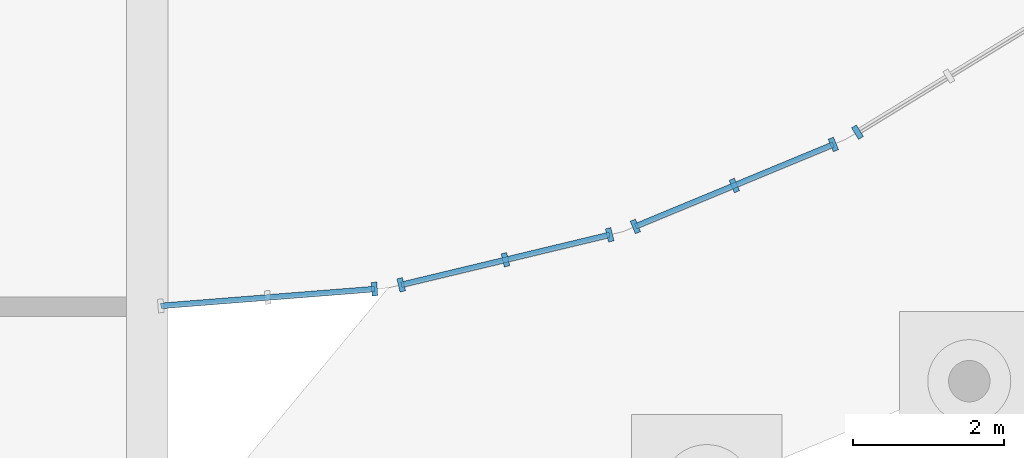
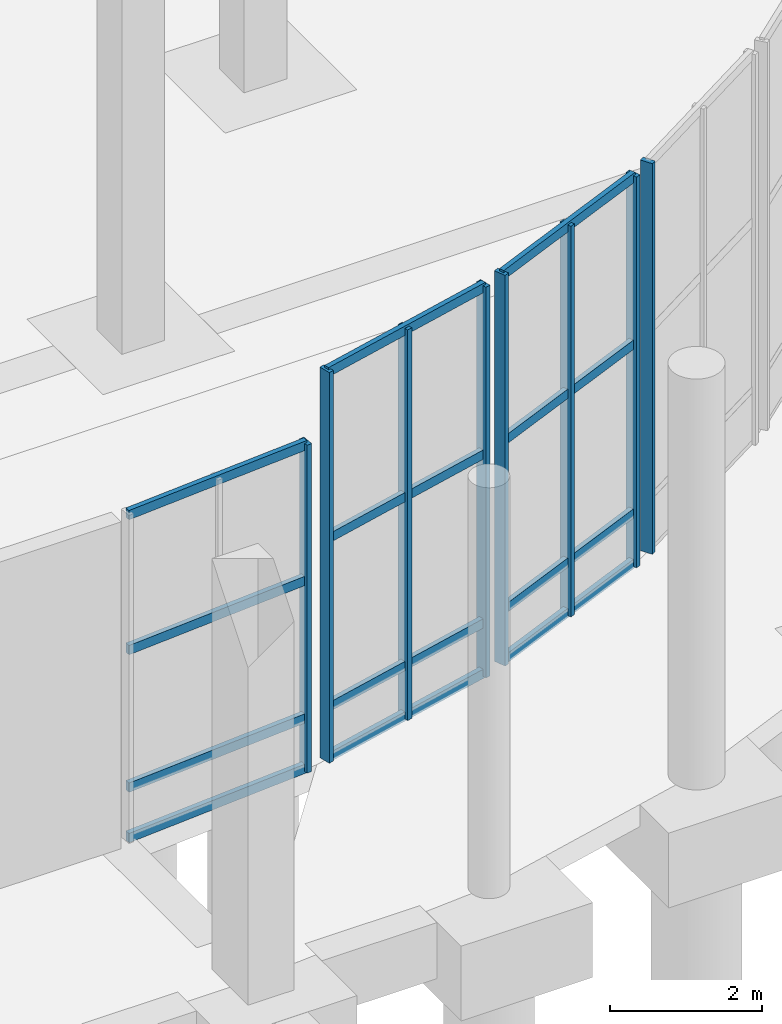
# One storey, part 56 of 117: 20 members, 4 elements without a shape of their own.
"""IFC4 building model written with IfcOpenShell, lengths in metres."""

from ifc_helpers import new_model, si_unit, direction, frame, origin, origin_2d, place, context, subcontext, project, spatial, rectangle, extrude, material, material_profile, profile_set, type_object, element, aggregate, save


model = new_model("IFC4")

# Units and contexts
model_context = context("Model", 3, precision=1e-05, world=origin(), true_north=direction((0.0, 1.0)))
body_context = subcontext(model_context, "Body", "Model", "MODEL_VIEW")
ifc_project = project(units=[si_unit("LENGTHUNIT", "METRE"), si_unit("AREAUNIT", "SQUARE_METRE"), si_unit("VOLUMEUNIT", "CUBIC_METRE"), si_unit("PLANEANGLEUNIT", "RADIAN"), si_unit("MASSUNIT", "GRAM", prefix="KILO")], contexts=[model_context])

# Site, building, storey
site_placement = place(None, origin())
site = spatial("IfcSite", under=ifc_project, at=site_placement, CompositionType="ELEMENT")
building_placement = place(site_placement, origin())
building = spatial("IfcBuilding", under=site, at=building_placement, Name="Kamomehara Wholesale Market", CompositionType="ELEMENT")
storey_placement = place(building_placement, origin())
storey = spatial("IfcBuildingStorey", under=building, at=storey_placement, Name="L00", CompositionType="ELEMENT", Elevation=0.0)

# Curtain wall, member
ifc_material_1 = material(Name="Anodised aluminium 6063-T5", Category="aluminium")
curtain_wall_type = type_object("IfcCurtainWallType", Name="CW-UN-07", PredefinedType="NOTDEFINED", material=ifc_material_1)
curtain_wall_1_placement = place(storey_placement, origin())
curtain_wall_1 = element("IfcCurtainWall", 1, at=curtain_wall_1_placement, inside=storey, type_object=curtain_wall_type, Name="Unitised curtain wall CW-045", PredefinedType="NOTDEFINED")
ifc_material_2 = material(Name="Anodised aluminium 6063-T5", Category="aluminium")
ifc_material_profile_1 = material_profile(ifc_material_2, rectangle(XDim=0.074951171875, YDim=0.179931640625, at=origin_2d()), Name="ALU-MUL-75x180")
ifc_profile_set_1 = profile_set([ifc_material_profile_1], Name="Anodised aluminium 6063-T5")
member_type_1 = type_object("IfcMemberType", Name="CW-MUL-180", PredefinedType="MULLION", material=ifc_profile_set_1)
member_1_placement = place(storey_placement, frame((189.4140625, 113.9169921875, 0.0), z_axis=(0.0, 0.0, 1.0), x_axis=(-0.852707640213, -0.52238843816, 0.0)))
member_1 = element("IfcMember", 2, at=member_1_placement, type_object=member_type_1, Name="Mullion CW-045.2", PredefinedType="MULLION", context=body_context, shape_type="SweptSolid", body=[
    extrude(rectangle(XDim=0.074951171875, YDim=0.179931640625, at=origin_2d()), origin(), (0.0, 0.0, 1.0), 6.27490234375),
])
aggregate(curtain_wall_1, [member_1])

# Curtain wall, members
curtain_wall_2_placement = place(storey_placement, origin())
curtain_wall_2 = element("IfcCurtainWall", 3, at=curtain_wall_2_placement, inside=storey, type_object=curtain_wall_type, Name="Unitised curtain wall CW-046", PredefinedType="NOTDEFINED")
member_2_placement = place(storey_placement, frame((189.094970703125, 113.75390625, 0.0), z_axis=(0.0, 0.0, 1.0), x_axis=(-0.923918266476, -0.382589906914, 0.0)))
member_2 = element("IfcMember", 4, at=member_2_placement, type_object=member_type_1, Name="Mullion CW-046.0", PredefinedType="MULLION", context=body_context, shape_type="SweptSolid", body=[
    extrude(rectangle(XDim=0.074951171875, YDim=0.179931640625, at=origin_2d()), origin(), (0.0, 0.0, 1.0), 6.27490234375),
])
member_3_placement = place(storey_placement, frame((187.781982421875, 113.2099609375, 0.0), z_axis=(0.0, 0.0, 1.0), x_axis=(-0.923918266476, -0.382589906914, 0.0)))
member_3 = element("IfcMember", 5, at=member_3_placement, type_object=member_type_1, Name="Mullion CW-046.1", PredefinedType="MULLION", context=body_context, shape_type="SweptSolid", body=[
    extrude(rectangle(XDim=0.074951171875, YDim=0.179931640625, at=origin_2d()), origin(), (0.0, 0.0, 1.0), 6.27490234375),
])
member_4_placement = place(storey_placement, frame((186.469970703125, 112.6669921875, 0.0), z_axis=(0.0, 0.0, 1.0), x_axis=(-0.923918266476, -0.382589906914, 0.0)))
member_4 = element("IfcMember", 6, at=member_4_placement, type_object=member_type_1, Name="Mullion CW-046.2", PredefinedType="MULLION", context=body_context, shape_type="SweptSolid", body=[
    extrude(rectangle(XDim=0.074951171875, YDim=0.179931640625, at=origin_2d()), origin(), (0.0, 0.0, 1.0), 6.27490234375),
])

curtain_wall_3_placement = place(storey_placement, origin())
curtain_wall_3 = element("IfcCurtainWall", 7, at=curtain_wall_3_placement, inside=storey, type_object=curtain_wall_type, Name="Unitised curtain wall CW-047", PredefinedType="NOTDEFINED")
member_5_placement = place(storey_placement, frame((186.12890625, 112.555908203125, 0.0), z_axis=(0.0, 0.0, 1.0), x_axis=(-0.972396804922, -0.233333353333, 0.0)))
member_5 = element("IfcMember", 8, at=member_5_placement, type_object=member_type_1, Name="Mullion CW-047.0", PredefinedType="MULLION", context=body_context, shape_type="SweptSolid", body=[
    extrude(rectangle(XDim=0.074951171875, YDim=0.179931640625, at=origin_2d()), origin(), (0.0, 0.0, 1.0), 6.27490234375),
])
member_6_placement = place(storey_placement, frame((184.748046875, 112.22509765625, 0.0), z_axis=(0.0, 0.0, 1.0), x_axis=(-0.972396804922, -0.233333353333, 0.0)))
member_6 = element("IfcMember", 9, at=member_6_placement, type_object=member_type_1, Name="Mullion CW-047.1", PredefinedType="MULLION", context=body_context, shape_type="SweptSolid", body=[
    extrude(rectangle(XDim=0.074951171875, YDim=0.179931640625, at=origin_2d()), origin(), (0.0, 0.0, 1.0), 6.27490234375),
])
member_7_placement = place(storey_placement, frame((183.365966796875, 111.89306640625, 0.0), z_axis=(0.0, 0.0, 1.0), x_axis=(-0.972396804922, -0.233333353333, 0.0)))
member_7 = element("IfcMember", 10, at=member_7_placement, type_object=member_type_1, Name="Mullion CW-047.2", PredefinedType="MULLION", context=body_context, shape_type="SweptSolid", body=[
    extrude(rectangle(XDim=0.074951171875, YDim=0.179931640625, at=origin_2d()), origin(), (0.0, 0.0, 1.0), 6.27490234375),
])

# Curtain wall, member
curtain_wall_4_placement = place(storey_placement, origin())
curtain_wall_4 = element("IfcCurtainWall", 11, at=curtain_wall_4_placement, inside=storey, type_object=curtain_wall_type, Name="Unitised curtain wall CW-048", PredefinedType="NOTDEFINED")
member_8_placement = place(storey_placement, frame((183.011962890625, 111.8369140625, 0.0), z_axis=(0.0, 0.0, 1.0), x_axis=(-0.99691623814, -0.078473015312, 0.0)))
member_8 = element("IfcMember", 12, at=member_8_placement, type_object=member_type_1, Name="Mullion CW-048.0", PredefinedType="MULLION", context=body_context, shape_type="SweptSolid", body=[
    extrude(rectangle(XDim=0.074951171875, YDim=0.179931640625, at=origin_2d()), origin(), (0.0, 0.0, 1.0), 5.26806640625),
])

# Member
ifc_material_3 = material(Name="Anodised aluminium 6063-T5", Category="aluminium")
ifc_material_profile_2 = material_profile(ifc_material_3, rectangle(XDim=0.074951171875, YDim=0.14990234375, at=origin_2d()), Name="ALU-TRN-75x150")
ifc_profile_set_2 = profile_set([ifc_material_profile_2], Name="Anodised aluminium 6063-T5")
member_type_2 = type_object("IfcMemberType", Name="CW-TRN-150", PredefinedType="USERDEFINED", material=ifc_profile_set_2)
member_9_placement = place(storey_placement, frame((189.094970703125, 113.75390625, 0.0400390625), z_axis=(-0.923928870591, -0.382564297979, 0.0), x_axis=(0.382564297979, -0.923928870591, 0.0)))
member_9 = element("IfcMember", 13, at=member_9_placement, type_object=member_type_2, Name="Transom CW-046.0", ObjectType="TRANSOM", PredefinedType="USERDEFINED", context=body_context, shape_type="SweptSolid", body=[
    extrude(rectangle(XDim=0.074951171875, YDim=0.14990234375, at=origin_2d()), origin(), (0.0, 0.0, 1.0), 2.841064453125),
])

member_10_placement = place(storey_placement, frame((189.094970703125, 113.75390625, 0.85009765625), z_axis=(-0.923928870591, -0.382564297979, 0.0), x_axis=(0.382564297979, -0.923928870591, 0.0)))
member_10 = element("IfcMember", 14, at=member_10_placement, type_object=member_type_2, Name="Transom CW-046.1", ObjectType="TRANSOM", PredefinedType="USERDEFINED", context=body_context, shape_type="SweptSolid", body=[
    extrude(rectangle(XDim=0.074951171875, YDim=0.14990234375, at=origin_2d()), origin(), (0.0, 0.0, 1.0), 2.841064453125),
])

member_11_placement = place(storey_placement, frame((189.094970703125, 113.75390625, 3.56201171875), z_axis=(-0.923928870591, -0.382564297979, 0.0), x_axis=(0.382564297979, -0.923928870591, 0.0)))
member_11 = element("IfcMember", 15, at=member_11_placement, type_object=member_type_2, Name="Transom CW-046.2", ObjectType="TRANSOM", PredefinedType="USERDEFINED", context=body_context, shape_type="SweptSolid", body=[
    extrude(rectangle(XDim=0.074951171875, YDim=0.14990234375, at=origin_2d()), origin(), (0.0, 0.0, 1.0), 2.841064453125),
])

member_12_placement = place(storey_placement, frame((189.094970703125, 113.75390625, 6.235107421875), z_axis=(-0.923928870591, -0.382564297979, 0.0), x_axis=(0.382564297979, -0.923928870591, 0.0)))
member_12 = element("IfcMember", 16, at=member_12_placement, type_object=member_type_2, Name="Transom CW-046.3", ObjectType="TRANSOM", PredefinedType="USERDEFINED", context=body_context, shape_type="SweptSolid", body=[
    extrude(rectangle(XDim=0.074951171875, YDim=0.14990234375, at=origin_2d()), origin(), (0.0, 0.0, 1.0), 2.841064453125),
])

aggregate(curtain_wall_2, [member_2, member_3, member_4, member_9, member_10, member_11, member_12])

member_13_placement = place(storey_placement, frame((186.12890625, 112.555908203125, 0.0400390625), z_axis=(-0.972408356691, -0.23328520707, 0.0), x_axis=(0.23328520707, -0.972408356691, 0.0)))
member_13 = element("IfcMember", 17, at=member_13_placement, type_object=member_type_2, Name="Transom CW-047.0", ObjectType="TRANSOM", PredefinedType="USERDEFINED", context=body_context, shape_type="SweptSolid", body=[
    extrude(rectangle(XDim=0.074951171875, YDim=0.14990234375, at=origin_2d()), origin(), (0.0, 0.0, 1.0), 2.84130859375),
])

member_14_placement = place(storey_placement, frame((186.12890625, 112.555908203125, 0.85009765625), z_axis=(-0.972408356691, -0.23328520707, 0.0), x_axis=(0.23328520707, -0.972408356691, 0.0)))
member_14 = element("IfcMember", 18, at=member_14_placement, type_object=member_type_2, Name="Transom CW-047.1", ObjectType="TRANSOM", PredefinedType="USERDEFINED", context=body_context, shape_type="SweptSolid", body=[
    extrude(rectangle(XDim=0.074951171875, YDim=0.14990234375, at=origin_2d()), origin(), (0.0, 0.0, 1.0), 2.84130859375),
])

member_15_placement = place(storey_placement, frame((186.12890625, 112.555908203125, 3.56201171875), z_axis=(-0.972408356691, -0.23328520707, 0.0), x_axis=(0.23328520707, -0.972408356691, 0.0)))
member_15 = element("IfcMember", 19, at=member_15_placement, type_object=member_type_2, Name="Transom CW-047.2", ObjectType="TRANSOM", PredefinedType="USERDEFINED", context=body_context, shape_type="SweptSolid", body=[
    extrude(rectangle(XDim=0.074951171875, YDim=0.14990234375, at=origin_2d()), origin(), (0.0, 0.0, 1.0), 2.84130859375),
])

member_16_placement = place(storey_placement, frame((186.12890625, 112.555908203125, 6.235107421875), z_axis=(-0.972408356691, -0.23328520707, 0.0), x_axis=(0.23328520707, -0.972408356691, 0.0)))
member_16 = element("IfcMember", 20, at=member_16_placement, type_object=member_type_2, Name="Transom CW-047.3", ObjectType="TRANSOM", PredefinedType="USERDEFINED", context=body_context, shape_type="SweptSolid", body=[
    extrude(rectangle(XDim=0.074951171875, YDim=0.14990234375, at=origin_2d()), origin(), (0.0, 0.0, 1.0), 2.84130859375),
])

aggregate(curtain_wall_3, [member_5, member_6, member_7, member_13, member_14, member_15, member_16])

member_17_placement = place(storey_placement, frame((183.011962890625, 111.8369140625, 0.0400390625), z_axis=(-0.996919044391, -0.078437356733, 0.0), x_axis=(0.078437356733, -0.996919044391, 0.0)))
member_17 = element("IfcMember", 21, at=member_17_placement, type_object=member_type_2, Name="Transom CW-048.0", ObjectType="TRANSOM", PredefinedType="USERDEFINED", context=body_context, shape_type="SweptSolid", body=[
    extrude(rectangle(XDim=0.074951171875, YDim=0.14990234375, at=origin_2d()), origin(), (0.0, 0.0, 1.0), 2.841796875),
])

member_18_placement = place(storey_placement, frame((183.011962890625, 111.8369140625, 0.85009765625), z_axis=(-0.996919044391, -0.078437356733, 0.0), x_axis=(0.078437356733, -0.996919044391, 0.0)))
member_18 = element("IfcMember", 22, at=member_18_placement, type_object=member_type_2, Name="Transom CW-048.1", ObjectType="TRANSOM", PredefinedType="USERDEFINED", context=body_context, shape_type="SweptSolid", body=[
    extrude(rectangle(XDim=0.074951171875, YDim=0.14990234375, at=origin_2d()), origin(), (0.0, 0.0, 1.0), 2.841796875),
])

member_19_placement = place(storey_placement, frame((183.011962890625, 111.8369140625, 3.05908203125), z_axis=(-0.996919044391, -0.078437356733, 0.0), x_axis=(0.078437356733, -0.996919044391, 0.0)))
member_19 = element("IfcMember", 23, at=member_19_placement, type_object=member_type_2, Name="Transom CW-048.2", ObjectType="TRANSOM", PredefinedType="USERDEFINED", context=body_context, shape_type="SweptSolid", body=[
    extrude(rectangle(XDim=0.074951171875, YDim=0.14990234375, at=origin_2d()), origin(), (0.0, 0.0, 1.0), 2.841796875),
])

member_20_placement = place(storey_placement, frame((183.011962890625, 111.8369140625, 5.22802734375), z_axis=(-0.996919044391, -0.078437356733, 0.0), x_axis=(0.078437356733, -0.996919044391, 0.0)))
member_20 = element("IfcMember", 24, at=member_20_placement, type_object=member_type_2, Name="Transom CW-048.3", ObjectType="TRANSOM", PredefinedType="USERDEFINED", context=body_context, shape_type="SweptSolid", body=[
    extrude(rectangle(XDim=0.074951171875, YDim=0.14990234375, at=origin_2d()), origin(), (0.0, 0.0, 1.0), 2.841796875),
])

aggregate(curtain_wall_4, [member_8, member_17, member_18, member_19, member_20])

save(model, "model.ifc")
